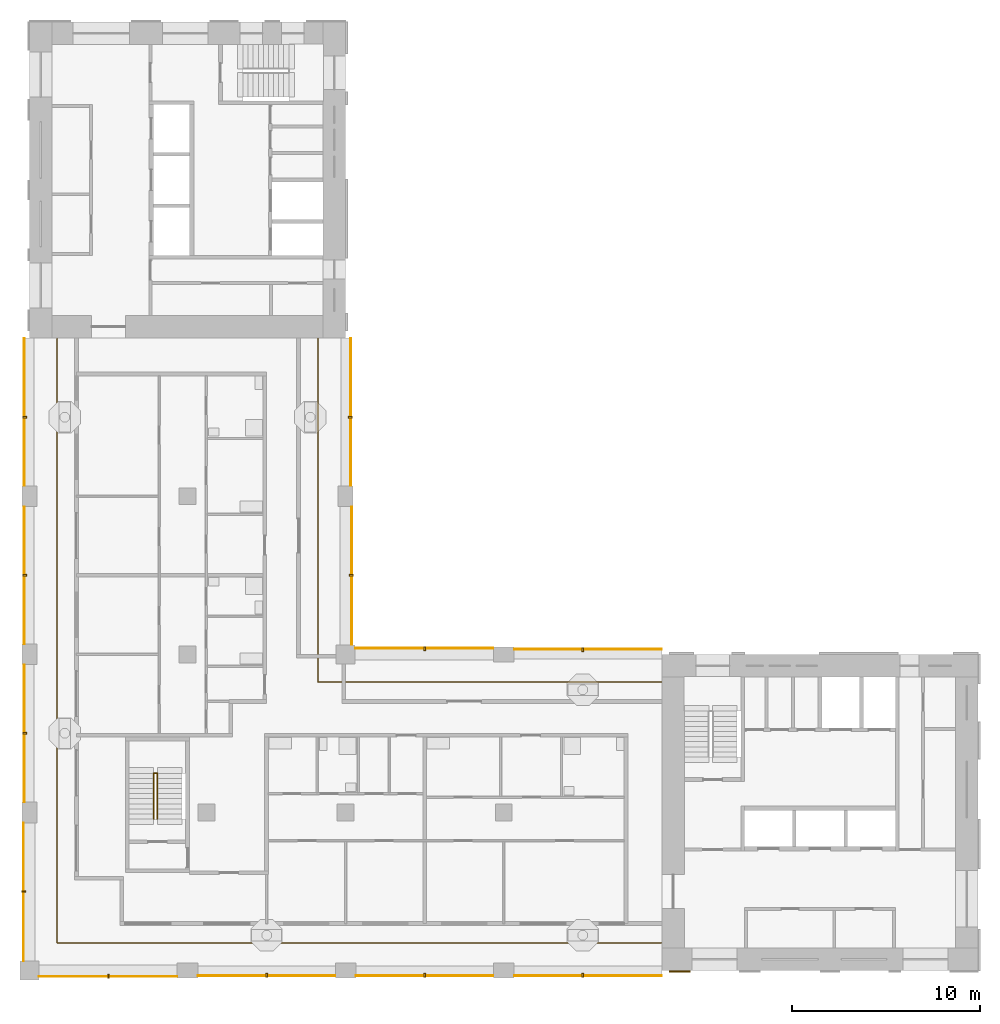
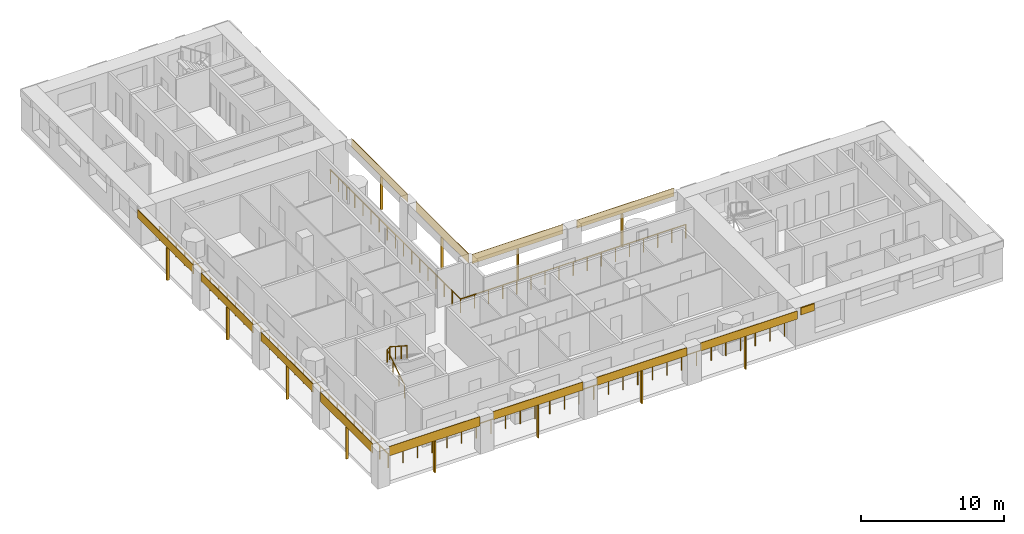
# One storey, part 8 of 12: 25 shading devices, 3 railings.
"""IFC4 building model written with IfcOpenShell, lengths in metres."""

from ifc_helpers import new_model, si_unit, direction, frame, origin, origin_2d, place, context, subcontext, project, spatial, rectangle, circle, extrude, material, layer, layer_set, material_profile, profile_set, type_object, element, save


model = new_model("IFC4")

# Units and contexts
model_context = context("Model", 3, precision=1e-05, world=origin(), true_north=direction((0.0, 1.0)))
body_context = subcontext(model_context, "Body", "Model", "MODEL_VIEW")
ifc_project = project(units=[si_unit("LENGTHUNIT", "METRE"), si_unit("AREAUNIT", "SQUARE_METRE"), si_unit("VOLUMEUNIT", "CUBIC_METRE"), si_unit("PLANEANGLEUNIT", "RADIAN"), si_unit("MASSUNIT", "GRAM", prefix="KILO")], contexts=[model_context])

# Site, building, storey
site_placement = place(None, origin())
site = spatial("IfcSite", under=ifc_project, at=site_placement, CompositionType="ELEMENT")
building_placement = place(site_placement, origin())
building = spatial("IfcBuilding", under=site, at=building_placement, Name="Vermilion Gate Residences", CompositionType="ELEMENT")
storey_placement = place(building_placement, frame((0.0, 0.0, 214.199951171875)))
storey = spatial("IfcBuildingStorey", under=building, at=storey_placement, Name="L55", CompositionType="ELEMENT", Elevation=214.199951171875)

# Railings
ifc_material_1 = material(Name="Stainless steel and toughened glass", Category="steel")
railing_type_1 = type_object("IfcRailingType", Name="LOGGIA GUARD STEEL AND GLASS 1200", PredefinedType="GUARDRAIL", material=ifc_material_1)
railing_1_placement = place(storey_placement, frame((41.97802734375, 23.72509765625, 0.0)))
element("IfcRailing", 1, at=railing_1_placement, inside=storey, type_object=railing_type_1, Name="Loggia guard", PredefinedType="GUARDRAIL", context=body_context, shape_type="SweptSolid", body=[
    extrude(circle(Radius=0.030029296875, at=origin_2d()), frame((0.0, 0.0, 1.169921875), z_axis=(-1.0, 0.0, 0.0), x_axis=(0.0, -1.0, 0.0)), (0.0, 0.0, 1.0), 18.2529296875),
    extrude(circle(Radius=0.030029296875, at=origin_2d()), frame((-18.2529296875, 0.0, 1.169921875), z_axis=(0.0, 1.0, 0.0), x_axis=(-1.0, 0.0, 0.0)), (0.0, 0.0, 1.0), 18.2529296875),
    extrude(circle(Radius=0.02490234375, at=origin_2d()), origin(), (0.0, 0.0, 1.0), 1.139892578125),
    extrude(circle(Radius=0.02490234375, at=origin_2d()), frame((-1.140869140625, 0.0, 0.0)), (0.0, 0.0, 1.0), 1.139892578125),
    extrude(circle(Radius=0.02490234375, at=origin_2d()), frame((-2.28173828125, 0.0, 0.0)), (0.0, 0.0, 1.0), 1.139892578125),
    extrude(circle(Radius=0.02490234375, at=origin_2d()), frame((-3.42236328125, 0.0, 0.0)), (0.0, 0.0, 1.0), 1.139892578125),
    extrude(circle(Radius=0.02490234375, at=origin_2d()), frame((-4.563232421875, 0.0, 0.0)), (0.0, 0.0, 1.0), 1.139892578125),
    extrude(circle(Radius=0.02490234375, at=origin_2d()), frame((-5.7041015625, 0.0, 0.0)), (0.0, 0.0, 1.0), 1.139892578125),
    extrude(circle(Radius=0.02490234375, at=origin_2d()), frame((-6.8447265625, 0.0, 0.0)), (0.0, 0.0, 1.0), 1.139892578125),
    extrude(circle(Radius=0.02490234375, at=origin_2d()), frame((-7.985595703125, 0.0, 0.0)), (0.0, 0.0, 1.0), 1.139892578125),
    extrude(circle(Radius=0.02490234375, at=origin_2d()), frame((-9.12646484375, 0.0, 0.0)), (0.0, 0.0, 1.0), 1.139892578125),
    extrude(circle(Radius=0.02490234375, at=origin_2d()), frame((-10.267333984375, 0.0, 0.0)), (0.0, 0.0, 1.0), 1.139892578125),
    extrude(circle(Radius=0.02490234375, at=origin_2d()), frame((-11.408203125, 0.0, 0.0)), (0.0, 0.0, 1.0), 1.139892578125),
    extrude(circle(Radius=0.02490234375, at=origin_2d()), frame((-12.548828125, 0.0, 0.0)), (0.0, 0.0, 1.0), 1.139892578125),
    extrude(circle(Radius=0.02490234375, at=origin_2d()), frame((-13.689697265625, 0.0, 0.0)), (0.0, 0.0, 1.0), 1.139892578125),
    extrude(circle(Radius=0.02490234375, at=origin_2d()), frame((-14.83056640625, 0.0, 0.0)), (0.0, 0.0, 1.0), 1.139892578125),
    extrude(circle(Radius=0.02490234375, at=origin_2d()), frame((-15.97119140625, 0.0, 0.0)), (0.0, 0.0, 1.0), 1.139892578125),
    extrude(circle(Radius=0.02490234375, at=origin_2d()), frame((-17.112060546875, 0.0, 0.0)), (0.0, 0.0, 1.0), 1.139892578125),
    extrude(circle(Radius=0.02490234375, at=origin_2d()), frame((-18.2529296875, 0.0, 0.0)), (0.0, 0.0, 1.0), 1.139892578125),
    extrude(circle(Radius=0.02490234375, at=origin_2d()), frame((-18.2529296875, 1.140869140625, 0.0)), (0.0, 0.0, 1.0), 1.139892578125),
    extrude(circle(Radius=0.02490234375, at=origin_2d()), frame((-18.2529296875, 2.28173828125, 0.0)), (0.0, 0.0, 1.0), 1.139892578125),
    extrude(circle(Radius=0.02490234375, at=origin_2d()), frame((-18.2529296875, 3.42236328125, 0.0)), (0.0, 0.0, 1.0), 1.139892578125),
    extrude(circle(Radius=0.02490234375, at=origin_2d()), frame((-18.2529296875, 4.563232421875, 0.0)), (0.0, 0.0, 1.0), 1.139892578125),
    extrude(circle(Radius=0.02490234375, at=origin_2d()), frame((-18.2529296875, 5.7041015625, 0.0)), (0.0, 0.0, 1.0), 1.139892578125),
    extrude(circle(Radius=0.02490234375, at=origin_2d()), frame((-18.2529296875, 6.8447265625, 0.0)), (0.0, 0.0, 1.0), 1.139892578125),
    extrude(circle(Radius=0.02490234375, at=origin_2d()), frame((-18.2529296875, 7.985595703125, 0.0)), (0.0, 0.0, 1.0), 1.139892578125),
    extrude(circle(Radius=0.02490234375, at=origin_2d()), frame((-18.2529296875, 9.12646484375, 0.0)), (0.0, 0.0, 1.0), 1.139892578125),
    extrude(circle(Radius=0.02490234375, at=origin_2d()), frame((-18.2529296875, 10.267333984375, 0.0)), (0.0, 0.0, 1.0), 1.139892578125),
    extrude(circle(Radius=0.02490234375, at=origin_2d()), frame((-18.2529296875, 11.408203125, 0.0)), (0.0, 0.0, 1.0), 1.139892578125),
    extrude(circle(Radius=0.02490234375, at=origin_2d()), frame((-18.2529296875, 12.548828125, 0.0)), (0.0, 0.0, 1.0), 1.139892578125),
    extrude(circle(Radius=0.02490234375, at=origin_2d()), frame((-18.2529296875, 13.689697265625, 0.0)), (0.0, 0.0, 1.0), 1.139892578125),
    extrude(circle(Radius=0.02490234375, at=origin_2d()), frame((-18.2529296875, 14.83056640625, 0.0)), (0.0, 0.0, 1.0), 1.139892578125),
    extrude(circle(Radius=0.02490234375, at=origin_2d()), frame((-18.2529296875, 15.97119140625, 0.0)), (0.0, 0.0, 1.0), 1.139892578125),
    extrude(circle(Radius=0.02490234375, at=origin_2d()), frame((-18.2529296875, 17.112060546875, 0.0)), (0.0, 0.0, 1.0), 1.139892578125),
    extrude(circle(Radius=0.02490234375, at=origin_2d()), frame((-18.2529296875, 18.2529296875, 0.0)), (0.0, 0.0, 1.0), 1.139892578125),
])
railing_2_placement = place(storey_placement, frame((9.875, 41.97802734375, 0.0)))
element("IfcRailing", 2, at=railing_2_placement, inside=storey, type_object=railing_type_1, Name="Loggia guard", PredefinedType="GUARDRAIL", context=body_context, shape_type="SweptSolid", body=[
    extrude(circle(Radius=0.030029296875, at=origin_2d()), frame((0.0, 0.0, 1.169921875), z_axis=(0.0, -1.0, 0.0), x_axis=(1.0, 0.0, 0.0)), (0.0, 0.0, 1.0), 32.10302734375),
    extrude(circle(Radius=0.030029296875, at=origin_2d()), frame((0.0, -32.10302734375, 1.169921875), z_axis=(1.0, 0.0, 0.0), x_axis=(0.0, 1.0, 0.0)), (0.0, 0.0, 1.0), 32.10302734375),
    extrude(circle(Radius=0.02490234375, at=origin_2d()), origin(), (0.0, 0.0, 1.0), 1.139892578125),
    extrude(circle(Radius=0.02490234375, at=origin_2d()), frame((0.0, -1.18896484375, 0.0)), (0.0, 0.0, 1.0), 1.139892578125),
    extrude(circle(Radius=0.02490234375, at=origin_2d()), frame((0.0, -2.3779296875, 0.0)), (0.0, 0.0, 1.0), 1.139892578125),
    extrude(circle(Radius=0.02490234375, at=origin_2d()), frame((0.0, -3.56689453125, 0.0)), (0.0, 0.0, 1.0), 1.139892578125),
    extrude(circle(Radius=0.02490234375, at=origin_2d()), frame((0.0, -4.756103515625, 0.0)), (0.0, 0.0, 1.0), 1.139892578125),
    extrude(circle(Radius=0.02490234375, at=origin_2d()), frame((0.0, -5.945068359375, 0.0)), (0.0, 0.0, 1.0), 1.139892578125),
    extrude(circle(Radius=0.02490234375, at=origin_2d()), frame((0.0, -7.134033203125, 0.0)), (0.0, 0.0, 1.0), 1.139892578125),
    extrude(circle(Radius=0.02490234375, at=origin_2d()), frame((0.0, -8.322998046875, 0.0)), (0.0, 0.0, 1.0), 1.139892578125),
    extrude(circle(Radius=0.02490234375, at=origin_2d()), frame((0.0, -9.511962890625, 0.0)), (0.0, 0.0, 1.0), 1.139892578125),
    extrude(circle(Radius=0.02490234375, at=origin_2d()), frame((0.0, -10.700927734375, 0.0)), (0.0, 0.0, 1.0), 1.139892578125),
    extrude(circle(Radius=0.02490234375, at=origin_2d()), frame((0.0, -11.889892578125, 0.0)), (0.0, 0.0, 1.0), 1.139892578125),
    extrude(circle(Radius=0.02490234375, at=origin_2d()), frame((0.0, -13.0791015625, 0.0)), (0.0, 0.0, 1.0), 1.139892578125),
    extrude(circle(Radius=0.02490234375, at=origin_2d()), frame((0.0, -14.26806640625, 0.0)), (0.0, 0.0, 1.0), 1.139892578125),
    extrude(circle(Radius=0.02490234375, at=origin_2d()), frame((0.0, -15.45703125, 0.0)), (0.0, 0.0, 1.0), 1.139892578125),
    extrude(circle(Radius=0.02490234375, at=origin_2d()), frame((0.0, -16.64599609375, 0.0)), (0.0, 0.0, 1.0), 1.139892578125),
    extrude(circle(Radius=0.02490234375, at=origin_2d()), frame((0.0, -17.8349609375, 0.0)), (0.0, 0.0, 1.0), 1.139892578125),
    extrude(circle(Radius=0.02490234375, at=origin_2d()), frame((0.0, -19.02392578125, 0.0)), (0.0, 0.0, 1.0), 1.139892578125),
    extrude(circle(Radius=0.02490234375, at=origin_2d()), frame((0.0, -20.213134765625, 0.0)), (0.0, 0.0, 1.0), 1.139892578125),
    extrude(circle(Radius=0.02490234375, at=origin_2d()), frame((0.0, -21.402099609375, 0.0)), (0.0, 0.0, 1.0), 1.139892578125),
    extrude(circle(Radius=0.02490234375, at=origin_2d()), frame((0.0, -22.591064453125, 0.0)), (0.0, 0.0, 1.0), 1.139892578125),
    extrude(circle(Radius=0.02490234375, at=origin_2d()), frame((0.0, -23.780029296875, 0.0)), (0.0, 0.0, 1.0), 1.139892578125),
    extrude(circle(Radius=0.02490234375, at=origin_2d()), frame((0.0, -24.968994140625, 0.0)), (0.0, 0.0, 1.0), 1.139892578125),
    extrude(circle(Radius=0.02490234375, at=origin_2d()), frame((0.0, -26.157958984375, 0.0)), (0.0, 0.0, 1.0), 1.139892578125),
    extrude(circle(Radius=0.02490234375, at=origin_2d()), frame((0.0, -27.346923828125, 0.0)), (0.0, 0.0, 1.0), 1.139892578125),
    extrude(circle(Radius=0.02490234375, at=origin_2d()), frame((0.0, -28.5361328125, 0.0)), (0.0, 0.0, 1.0), 1.139892578125),
    extrude(circle(Radius=0.02490234375, at=origin_2d()), frame((0.0, -29.72509765625, 0.0)), (0.0, 0.0, 1.0), 1.139892578125),
    extrude(circle(Radius=0.02490234375, at=origin_2d()), frame((0.0, -30.9140625, 0.0)), (0.0, 0.0, 1.0), 1.139892578125),
    extrude(circle(Radius=0.02490234375, at=origin_2d()), frame((0.0, -32.10302734375, 0.0)), (0.0, 0.0, 1.0), 1.139892578125),
    extrude(circle(Radius=0.02490234375, at=origin_2d()), frame((1.18896484375, -32.10302734375, 0.0)), (0.0, 0.0, 1.0), 1.139892578125),
    extrude(circle(Radius=0.02490234375, at=origin_2d()), frame((2.3779296875, -32.10302734375, 0.0)), (0.0, 0.0, 1.0), 1.139892578125),
    extrude(circle(Radius=0.02490234375, at=origin_2d()), frame((3.56689453125, -32.10302734375, 0.0)), (0.0, 0.0, 1.0), 1.139892578125),
    extrude(circle(Radius=0.02490234375, at=origin_2d()), frame((4.756103515625, -32.10302734375, 0.0)), (0.0, 0.0, 1.0), 1.139892578125),
    extrude(circle(Radius=0.02490234375, at=origin_2d()), frame((5.945068359375, -32.10302734375, 0.0)), (0.0, 0.0, 1.0), 1.139892578125),
    extrude(circle(Radius=0.02490234375, at=origin_2d()), frame((7.134033203125, -32.10302734375, 0.0)), (0.0, 0.0, 1.0), 1.139892578125),
    extrude(circle(Radius=0.02490234375, at=origin_2d()), frame((8.322998046875, -32.10302734375, 0.0)), (0.0, 0.0, 1.0), 1.139892578125),
    extrude(circle(Radius=0.02490234375, at=origin_2d()), frame((9.511962890625, -32.10302734375, 0.0)), (0.0, 0.0, 1.0), 1.139892578125),
    extrude(circle(Radius=0.02490234375, at=origin_2d()), frame((10.700927734375, -32.10302734375, 0.0)), (0.0, 0.0, 1.0), 1.139892578125),
    extrude(circle(Radius=0.02490234375, at=origin_2d()), frame((11.889892578125, -32.10302734375, 0.0)), (0.0, 0.0, 1.0), 1.139892578125),
    extrude(circle(Radius=0.02490234375, at=origin_2d()), frame((13.0791015625, -32.10302734375, 0.0)), (0.0, 0.0, 1.0), 1.139892578125),
    extrude(circle(Radius=0.02490234375, at=origin_2d()), frame((14.26806640625, -32.10302734375, 0.0)), (0.0, 0.0, 1.0), 1.139892578125),
    extrude(circle(Radius=0.02490234375, at=origin_2d()), frame((15.45703125, -32.10302734375, 0.0)), (0.0, 0.0, 1.0), 1.139892578125),
    extrude(circle(Radius=0.02490234375, at=origin_2d()), frame((16.64599609375, -32.10302734375, 0.0)), (0.0, 0.0, 1.0), 1.139892578125),
    extrude(circle(Radius=0.02490234375, at=origin_2d()), frame((17.8349609375, -32.10302734375, 0.0)), (0.0, 0.0, 1.0), 1.139892578125),
    extrude(circle(Radius=0.02490234375, at=origin_2d()), frame((19.02392578125, -32.10302734375, 0.0)), (0.0, 0.0, 1.0), 1.139892578125),
    extrude(circle(Radius=0.02490234375, at=origin_2d()), frame((20.213134765625, -32.10302734375, 0.0)), (0.0, 0.0, 1.0), 1.139892578125),
    extrude(circle(Radius=0.02490234375, at=origin_2d()), frame((21.402099609375, -32.10302734375, 0.0)), (0.0, 0.0, 1.0), 1.139892578125),
    extrude(circle(Radius=0.02490234375, at=origin_2d()), frame((22.591064453125, -32.10302734375, 0.0)), (0.0, 0.0, 1.0), 1.139892578125),
    extrude(circle(Radius=0.02490234375, at=origin_2d()), frame((23.780029296875, -32.10302734375, 0.0)), (0.0, 0.0, 1.0), 1.139892578125),
    extrude(circle(Radius=0.02490234375, at=origin_2d()), frame((24.968994140625, -32.10302734375, 0.0)), (0.0, 0.0, 1.0), 1.139892578125),
    extrude(circle(Radius=0.02490234375, at=origin_2d()), frame((26.157958984375, -32.10302734375, 0.0)), (0.0, 0.0, 1.0), 1.139892578125),
    extrude(circle(Radius=0.02490234375, at=origin_2d()), frame((27.346923828125, -32.10302734375, 0.0)), (0.0, 0.0, 1.0), 1.139892578125),
    extrude(circle(Radius=0.02490234375, at=origin_2d()), frame((28.5361328125, -32.10302734375, 0.0)), (0.0, 0.0, 1.0), 1.139892578125),
    extrude(circle(Radius=0.02490234375, at=origin_2d()), frame((29.72509765625, -32.10302734375, 0.0)), (0.0, 0.0, 1.0), 1.139892578125),
    extrude(circle(Radius=0.02490234375, at=origin_2d()), frame((30.9140625, -32.10302734375, 0.0)), (0.0, 0.0, 1.0), 1.139892578125),
    extrude(circle(Radius=0.02490234375, at=origin_2d()), frame((32.10302734375, -32.10302734375, 0.0)), (0.0, 0.0, 1.0), 1.139892578125),
])

# Shading devices
ifc_material_2 = material(Name="Perforated terracotta", Category="masonry")
ifc_layer_1 = layer(ifc_material_2, 0.0400390625)
ifc_layer_set_1 = layer_set([ifc_layer_1], Name="PERFORATED TERRACOTTA SCREEN 40")
shading_device_type_1 = type_object("IfcShadingDeviceType", Name="PERFORATED TERRACOTTA SCREEN 40", PredefinedType="SHUTTER", material=ifc_layer_set_1)
shading_device_1_placement = place(storey_placement, frame((12.574951171875, 8.080078125, 2.419921875), z_axis=(0.0, 0.0, 1.0), x_axis=(1.0, 0.0, 0.0)))
element("IfcShadingDevice", 3, at=shading_device_1_placement, inside=storey, type_object=shading_device_type_1, Name="SCREEN", PredefinedType="SHUTTER", context=body_context, shape_type="SweptSolid", body=[
    extrude(rectangle(XDim=7.35009765625, YDim=0.0400390625, at=origin_2d()), origin(), (0.0, 0.0, 1.0), 0.800048828125),
])
for number, where, z_axis, x_axis, name in (
    (4, (21.0, 8.1298828125, 2.52001953125), (0.0, 0.0, 1.0), (1.0, 0.0, 0.0), "SCREEN"),
    (5, (29.39990234375, 8.1298828125, 2.52001953125), (0.0, 0.0, 1.0), (1.0, 0.0, 0.0), "SCREEN"),
):
    element("IfcShadingDevice", number, at=place(storey_placement, frame(where, z_axis=z_axis, x_axis=x_axis)), inside=storey, type_object=shading_device_type_1, Name=name, PredefinedType="SHUTTER", context=body_context, shape_type="SweptSolid", body=[
        extrude(rectangle(XDim=7.300048828125, YDim=0.0400390625, at=origin_2d()), origin(), (0.0, 0.0, 1.0), 0.699951171875),
    ])
shading_device_2_placement = place(storey_placement, frame((38.074951171875, 8.1298828125, 2.52001953125), z_axis=(0.0, 0.0, 1.0), x_axis=(1.0, 0.0, 0.0)))
element("IfcShadingDevice", 6, at=shading_device_2_placement, inside=storey, type_object=shading_device_type_1, Name="SCREEN", PredefinedType="SHUTTER", context=body_context, shape_type="SweptSolid", body=[
    extrude(rectangle(XDim=7.85009765625, YDim=0.0400390625, at=origin_2d()), origin(), (0.0, 0.0, 1.0), 0.699951171875),
])
shading_device_3_placement = place(storey_placement, frame((29.375, 25.52001953125, 2.419921875), z_axis=(0.0, 0.0, 1.0), x_axis=(-1.0, 0.0, 0.0)))
element("IfcShadingDevice", 7, at=shading_device_3_placement, inside=storey, type_object=shading_device_type_1, Name="SCREEN", PredefinedType="SHUTTER", context=body_context, shape_type="SweptSolid", body=[
    extrude(rectangle(XDim=7.35009765625, YDim=0.0400390625, at=origin_2d()), origin(), (0.0, 0.0, 1.0), 0.800048828125),
])
shading_device_4_placement = place(storey_placement, frame((38.074951171875, 25.469970703125, 2.52001953125), z_axis=(0.0, 0.0, 1.0), x_axis=(-1.0, 0.0, 0.0)))
element("IfcShadingDevice", 8, at=shading_device_4_placement, inside=storey, type_object=shading_device_type_1, Name="SCREEN", PredefinedType="SHUTTER", context=body_context, shape_type="SweptSolid", body=[
    extrude(rectangle(XDim=7.85009765625, YDim=0.0400390625, at=origin_2d()), origin(), (0.0, 0.0, 1.0), 0.699951171875),
])
shading_device_5_placement = place(storey_placement, frame((25.52001953125, 29.375, 2.419921875), z_axis=(0.0, 0.0, 1.0), x_axis=(0.0, 1.0, 0.0)))
element("IfcShadingDevice", 9, at=shading_device_5_placement, inside=storey, type_object=shading_device_type_1, Name="SCREEN", PredefinedType="SHUTTER", context=body_context, shape_type="SweptSolid", body=[
    extrude(rectangle(XDim=7.35009765625, YDim=0.0400390625, at=origin_2d()), origin(), (0.0, 0.0, 1.0), 0.800048828125),
])
shading_device_6_placement = place(storey_placement, frame((25.469970703125, 38.074951171875, 2.52001953125), z_axis=(0.0, 0.0, 1.0), x_axis=(0.0, 1.0, 0.0)))
element("IfcShadingDevice", 10, at=shading_device_6_placement, inside=storey, type_object=shading_device_type_1, Name="SCREEN", PredefinedType="SHUTTER", context=body_context, shape_type="SweptSolid", body=[
    extrude(rectangle(XDim=7.85009765625, YDim=0.0400390625, at=origin_2d()), origin(), (0.0, 0.0, 1.0), 0.699951171875),
])
shading_device_7_placement = place(storey_placement, frame((8.080078125, 12.574951171875, 2.419921875), z_axis=(0.0, 0.0, 1.0), x_axis=(0.0, -1.0, 0.0)))
element("IfcShadingDevice", 11, at=shading_device_7_placement, inside=storey, type_object=shading_device_type_1, Name="SCREEN", PredefinedType="SHUTTER", context=body_context, shape_type="SweptSolid", body=[
    extrude(rectangle(XDim=7.35009765625, YDim=0.0400390625, at=origin_2d()), origin(), (0.0, 0.0, 1.0), 0.800048828125),
])
for number, where, z_axis, x_axis, name in (
    (12, (8.1298828125, 21.0, 2.52001953125), (0.0, 0.0, 1.0), (0.0, -1.0, 0.0), "SCREEN"),
    (13, (8.1298828125, 29.39990234375, 2.52001953125), (0.0, 0.0, 1.0), (0.0, -1.0, 0.0), "SCREEN"),
):
    element("IfcShadingDevice", number, at=place(storey_placement, frame(where, z_axis=z_axis, x_axis=x_axis)), inside=storey, type_object=shading_device_type_1, Name=name, PredefinedType="SHUTTER", context=body_context, shape_type="SweptSolid", body=[
        extrude(rectangle(XDim=7.300048828125, YDim=0.0400390625, at=origin_2d()), origin(), (0.0, 0.0, 1.0), 0.699951171875),
    ])
shading_device_8_placement = place(storey_placement, frame((8.1298828125, 38.074951171875, 2.52001953125), z_axis=(0.0, 0.0, 1.0), x_axis=(0.0, -1.0, 0.0)))
element("IfcShadingDevice", 14, at=shading_device_8_placement, inside=storey, type_object=shading_device_type_1, Name="SCREEN", PredefinedType="SHUTTER", context=body_context, shape_type="SweptSolid", body=[
    extrude(rectangle(XDim=7.85009765625, YDim=0.0400390625, at=origin_2d()), origin(), (0.0, 0.0, 1.0), 0.699951171875),
])

# Railing
ifc_material_3 = material(Name="Steel S355", Category="steel")
railing_type_2 = type_object("IfcRailingType", Name="STAIR GUARD 1100 STEEL", PredefinedType="GUARDRAIL", material=ifc_material_3)
railing_3_placement = place(storey_placement, frame((15.0, 16.449951171875, 0.175048828125)))
element("IfcRailing", 15, at=railing_3_placement, inside=storey, type_object=railing_type_2, Name="Stair well guard STC1-55", PredefinedType="GUARDRAIL", context=body_context, shape_type="SweptSolid", body=[
    extrude(circle(Radius=0.02392578125, at=origin_2d()), frame((0.0, 0.0, 1.076171875), z_axis=(0.0, 0.839153699163, 0.543894354798), x_axis=(-1.0, 0.0, 0.0)), (0.0, 0.0, 1.0), 2.895751953125),
    extrude(circle(Radius=0.02392578125, at=origin_2d()), frame((0.0, 2.429931640625, 2.65087890625), z_axis=(0.752405939678, 0.0, 0.658699705433), x_axis=(0.0, 1.0, 0.0)), (0.0, 0.0, 1.0), 0.265869140625),
    extrude(circle(Radius=0.02392578125, at=origin_2d()), frame((0.199951171875, 2.429931640625, 2.826171875), z_axis=(0.0, -0.839153699163, 0.543894354798), x_axis=(1.0, 0.0, 0.0)), (0.0, 0.0, 1.0), 2.895751953125),
    extrude(circle(Radius=0.02099609375, at=origin_2d()), origin(), (0.0, 0.0, 1.0), 1.052001953125),
    extrude(circle(Radius=0.02099609375, at=origin_2d()), frame((0.0, 0.81005859375, 0.52490234375)), (0.0, 0.0, 1.0), 1.052001953125),
    extrude(circle(Radius=0.02099609375, at=origin_2d()), frame((0.0, 1.619873046875, 1.050048828125)), (0.0, 0.0, 1.0), 1.052001953125),
    extrude(circle(Radius=0.02099609375, at=origin_2d()), frame((0.0, 2.429931640625, 1.574951171875)), (0.0, 0.0, 1.0), 1.052001953125),
    extrude(circle(Radius=0.02099609375, at=origin_2d()), frame((0.199951171875, 2.429931640625, 1.75)), (0.0, 0.0, 1.0), 1.052001953125),
    extrude(circle(Radius=0.02099609375, at=origin_2d()), frame((0.199951171875, 1.619873046875, 2.27490234375)), (0.0, 0.0, 1.0), 1.052001953125),
    extrude(circle(Radius=0.02099609375, at=origin_2d()), frame((0.199951171875, 0.81005859375, 2.800048828125)), (0.0, 0.0, 1.0), 1.052001953125),
    extrude(circle(Radius=0.02099609375, at=origin_2d()), frame((0.199951171875, 0.0, 3.324951171875)), (0.0, 0.0, 1.0), 1.052001953125),
])

# Shading devices
ifc_material_4 = material(Name="Extruded terracotta", Category="masonry")
ifc_material_profile = material_profile(ifc_material_4, rectangle(XDim=0.199951171875, YDim=0.10009765625, at=origin_2d()), Name="BAGUETTE 100 X 200")
ifc_profile_set = profile_set([ifc_material_profile], Name="Extruded terracotta")
shading_device_type_2 = type_object("IfcShadingDeviceType", Name="TERRACOTTA BAGUETTE 100 X 200", PredefinedType="JALOUSIE", material=ifc_profile_set)
shading_device_9_placement = place(storey_placement, frame((12.60009765625, 8.10009765625, -0.280029296875), z_axis=(0.0, 0.0, 1.0), x_axis=(0.0, 1.0, 0.0)))
element("IfcShadingDevice", 16, at=shading_device_9_placement, inside=storey, type_object=shading_device_type_2, Name="BAGUETTE", PredefinedType="JALOUSIE", context=body_context, shape_type="SweptSolid", body=[
    extrude(rectangle(XDim=0.199951171875, YDim=0.10009765625, at=origin_2d()), origin(), (0.0, 0.0, 1.0), 2.7001953125),
])
for number, where, z_axis, x_axis, name in (
    (17, (21.0, 8.14990234375, -0.280029296875), (0.0, 0.0, 1.0), (0.0, 1.0, 0.0), "BAGUETTE"),
    (18, (29.39990234375, 8.14990234375, -0.280029296875), (0.0, 0.0, 1.0), (0.0, 1.0, 0.0), "BAGUETTE"),
    (19, (37.800048828125, 8.14990234375, -0.280029296875), (0.0, 0.0, 1.0), (0.0, 1.0, 0.0), "BAGUETTE"),
):
    element("IfcShadingDevice", number, at=place(storey_placement, frame(where, z_axis=z_axis, x_axis=x_axis)), inside=storey, type_object=shading_device_type_2, Name=name, PredefinedType="JALOUSIE", context=body_context, shape_type="SweptSolid", body=[
        extrude(rectangle(XDim=0.199951171875, YDim=0.10009765625, at=origin_2d()), origin(), (0.0, 0.0, 1.0), 2.800048828125),
    ])
shading_device_10_placement = place(storey_placement, frame((29.39990234375, 25.5, -0.280029296875), z_axis=(0.0, 0.0, 1.0), x_axis=(0.0, -1.0, 0.0)))
element("IfcShadingDevice", 20, at=shading_device_10_placement, inside=storey, type_object=shading_device_type_2, Name="BAGUETTE", PredefinedType="JALOUSIE", context=body_context, shape_type="SweptSolid", body=[
    extrude(rectangle(XDim=0.199951171875, YDim=0.10009765625, at=origin_2d()), origin(), (0.0, 0.0, 1.0), 2.7001953125),
])
shading_device_11_placement = place(storey_placement, frame((37.800048828125, 25.449951171875, -0.280029296875), z_axis=(0.0, 0.0, 1.0), x_axis=(0.0, -1.0, 0.0)))
element("IfcShadingDevice", 21, at=shading_device_11_placement, inside=storey, type_object=shading_device_type_2, Name="BAGUETTE", PredefinedType="JALOUSIE", context=body_context, shape_type="SweptSolid", body=[
    extrude(rectangle(XDim=0.199951171875, YDim=0.10009765625, at=origin_2d()), origin(), (0.0, 0.0, 1.0), 2.800048828125),
])
shading_device_12_placement = place(storey_placement, frame((25.5, 29.39990234375, -0.280029296875), z_axis=(0.0, 0.0, 1.0), x_axis=(-1.0, 0.0, 0.0)))
element("IfcShadingDevice", 22, at=shading_device_12_placement, inside=storey, type_object=shading_device_type_2, Name="BAGUETTE", PredefinedType="JALOUSIE", context=body_context, shape_type="SweptSolid", body=[
    extrude(rectangle(XDim=0.199951171875, YDim=0.10009765625, at=origin_2d()), origin(), (0.0, 0.0, 1.0), 2.7001953125),
])
shading_device_13_placement = place(storey_placement, frame((25.449951171875, 37.800048828125, -0.280029296875), z_axis=(0.0, 0.0, 1.0), x_axis=(-1.0, 0.0, 0.0)))
element("IfcShadingDevice", 23, at=shading_device_13_placement, inside=storey, type_object=shading_device_type_2, Name="BAGUETTE", PredefinedType="JALOUSIE", context=body_context, shape_type="SweptSolid", body=[
    extrude(rectangle(XDim=0.199951171875, YDim=0.10009765625, at=origin_2d()), origin(), (0.0, 0.0, 1.0), 2.800048828125),
])
shading_device_14_placement = place(storey_placement, frame((8.10009765625, 12.60009765625, -0.280029296875), z_axis=(0.0, 0.0, 1.0), x_axis=(1.0, 0.0, 0.0)))
element("IfcShadingDevice", 24, at=shading_device_14_placement, inside=storey, type_object=shading_device_type_2, Name="BAGUETTE", PredefinedType="JALOUSIE", context=body_context, shape_type="SweptSolid", body=[
    extrude(rectangle(XDim=0.199951171875, YDim=0.10009765625, at=origin_2d()), origin(), (0.0, 0.0, 1.0), 2.7001953125),
])
for number, where, z_axis, x_axis, name in (
    (25, (8.14990234375, 21.0, -0.280029296875), (0.0, 0.0, 1.0), (1.0, 0.0, 0.0), "BAGUETTE"),
    (26, (8.14990234375, 29.39990234375, -0.280029296875), (0.0, 0.0, 1.0), (1.0, 0.0, 0.0), "BAGUETTE"),
    (27, (8.14990234375, 37.800048828125, -0.280029296875), (0.0, 0.0, 1.0), (1.0, 0.0, 0.0), "BAGUETTE"),
):
    element("IfcShadingDevice", number, at=place(storey_placement, frame(where, z_axis=z_axis, x_axis=x_axis)), inside=storey, type_object=shading_device_type_2, Name=name, PredefinedType="JALOUSIE", context=body_context, shape_type="SweptSolid", body=[
        extrude(rectangle(XDim=0.199951171875, YDim=0.10009765625, at=origin_2d()), origin(), (0.0, 0.0, 1.0), 2.800048828125),
    ])
ifc_material_5 = material(Name="Extruded terracotta", Category="masonry")
ifc_layer_2 = layer(ifc_material_5, 0.10009765625)
ifc_layer_set_2 = layer_set([ifc_layer_2], Name="TERRACOTTA SPANDREL BAND 600 X 100")
shading_device_type_3 = type_object("IfcShadingDeviceType", Name="TERRACOTTA SPANDREL BAND 600 X 100", PredefinedType="USERDEFINED", material=ifc_layer_set_2)
shading_device_15_placement = place(storey_placement, frame((42.949951171875, 8.35009765625, 2.6201171875), z_axis=(0.0, 0.0, 1.0), x_axis=(1.0, 0.0, 0.0)))
element("IfcShadingDevice", 28, at=shading_device_15_placement, inside=storey, type_object=shading_device_type_3, Name="SPANDREL BAND", ObjectType="BAND", PredefinedType="USERDEFINED", context=body_context, shape_type="SweptSolid", body=[
    extrude(rectangle(XDim=1.10009765625, YDim=0.10009765625, at=origin_2d()), origin(), (0.0, 0.0, 1.0), 0.60009765625),
])

save(model, "model.ifc")
